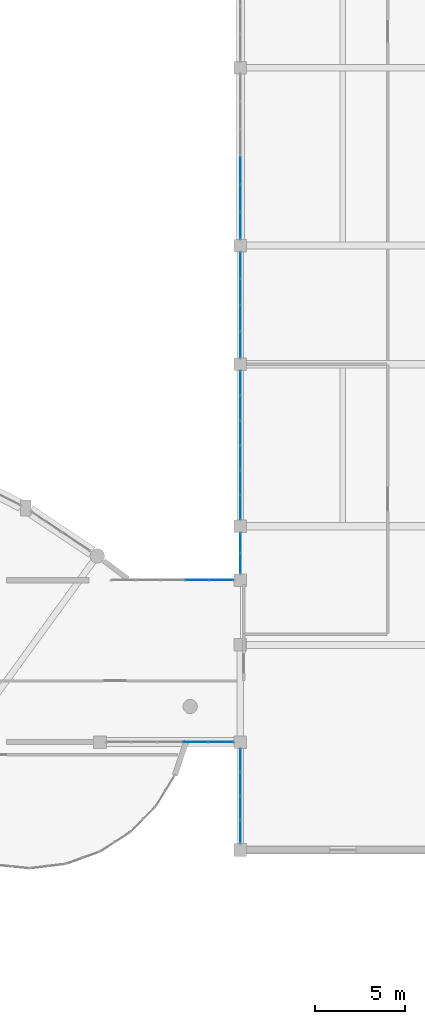
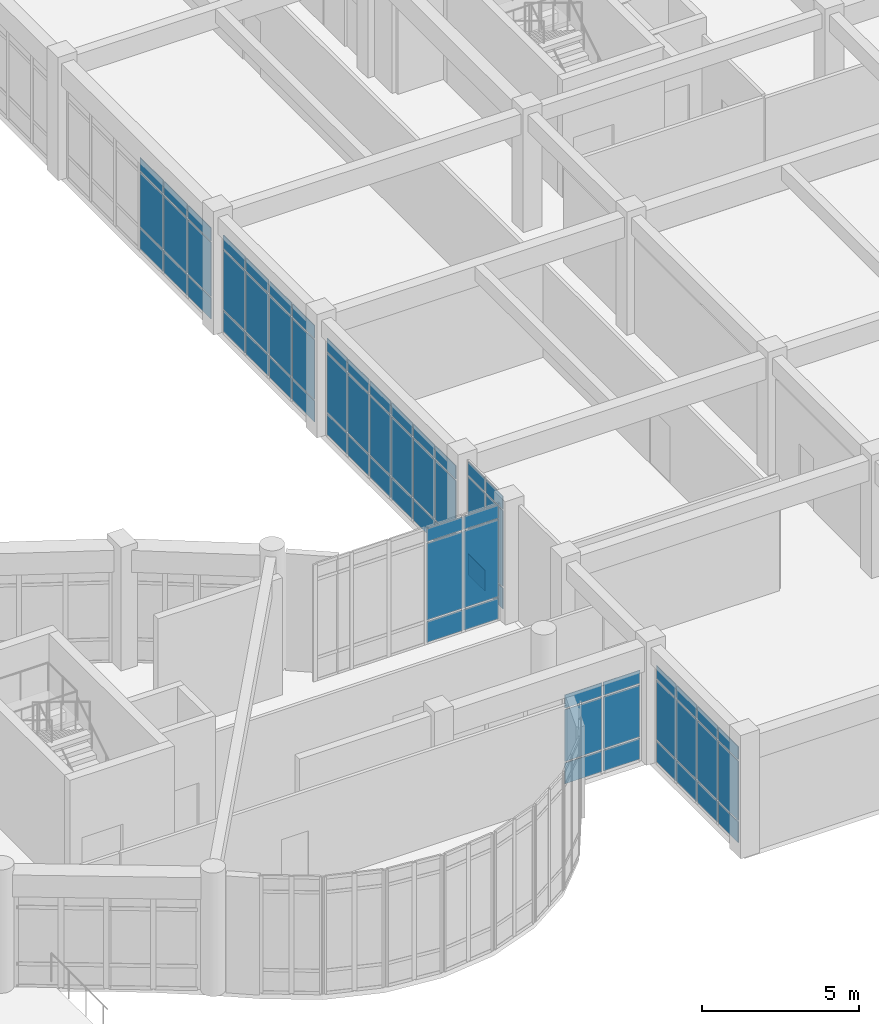
# One storey, part 45 of 65: 69 plates, 7 elements without a shape of their own.
"""IFC4 building model written with IfcOpenShell, lengths in metres."""

from ifc_helpers import new_model, si_unit, direction, frame, origin, origin_2d, place, context, subcontext, project, spatial, rectangle, extrude, material, layer, layer_set, type_object, element, aggregate, save


model = new_model("IFC4")

# Units and contexts
model_context = context("Model", 3, precision=1e-05, world=origin(), true_north=direction((0.0, 1.0)))
body_context = subcontext(model_context, "Body", "Model", "MODEL_VIEW")
ifc_project = project(units=[si_unit("LENGTHUNIT", "METRE"), si_unit("AREAUNIT", "SQUARE_METRE"), si_unit("VOLUMEUNIT", "CUBIC_METRE"), si_unit("PLANEANGLEUNIT", "RADIAN"), si_unit("MASSUNIT", "GRAM", prefix="KILO")], contexts=[model_context])

# Site, building, storey
site_placement = place(None, origin())
site = spatial("IfcSite", under=ifc_project, at=site_placement, CompositionType="ELEMENT")
building_placement = place(site_placement, origin())
building = spatial("IfcBuilding", under=site, at=building_placement, Name="Miralva Faculty of Natural Sciences", CompositionType="ELEMENT")
storey_placement = place(building_placement, frame((0.0, 0.0, 10.199951171875)))
storey = spatial("IfcBuildingStorey", under=building, at=storey_placement, Name="L02", CompositionType="ELEMENT", Elevation=10.199951171875)

# Curtain wall, plates
ifc_material = material(Name="Laminated solar-control glass", Category="glass")
ifc_layer_1 = layer(ifc_material, 0.179931640625, Name="CW-COM-L01")
ifc_layer_set_1 = layer_set([ifc_layer_1], Name="Laminated solar-control glass")
curtain_wall_type = type_object("IfcCurtainWallType", Name="CW-COM-L01", PredefinedType="USERDEFINED", material=ifc_layer_set_1)
curtain_wall_1_placement = place(storey_placement, origin())
curtain_wall_1 = element("IfcCurtainWall", 1, at=curtain_wall_1_placement, inside=storey, type_object=curtain_wall_type, Name="Curtain wall CW-10 L02-268", ObjectType="UNITISED CURTAIN WALL", PredefinedType="USERDEFINED")
ifc_layer_2 = layer(ifc_material, 0.028076171875, Name="PNL-P01")
ifc_layer_set_2 = layer_set([ifc_layer_2], Name="Laminated solar-control glass")
plate_type = type_object("IfcPlateType", Name="PNL-P01", PredefinedType="CURTAIN_PANEL", material=ifc_layer_set_2)
plate_1_placement = place(storey_placement, frame((133.800048828125, 13.016357421875, 0.06005859375), z_axis=(0.0, 0.0, 1.0), x_axis=(0.0, 1.0, 0.0)))
plate_1 = element("IfcPlate", 2, at=plate_1_placement, type_object=plate_type, Name="CW-10 panel 1.1", PredefinedType="CURTAIN_PANEL", context=body_context, shape_type="SweptSolid", body=[
    extrude(rectangle(XDim=1.242431640625, YDim=0.028076171875, at=origin_2d()), origin(), (0.0, 0.0, 1.0), 0.81005859375),
])
plate_2_placement = place(storey_placement, frame((133.800048828125, 13.016357421875, 0.93017578125), z_axis=(0.0, 0.0, 1.0), x_axis=(0.0, 1.0, 0.0)))
plate_2 = element("IfcPlate", 3, at=plate_2_placement, type_object=plate_type, Name="CW-10 panel 1.2", PredefinedType="CURTAIN_PANEL", context=body_context, shape_type="SweptSolid", body=[
    extrude(rectangle(XDim=1.242431640625, YDim=0.028076171875, at=origin_2d()), origin(), (0.0, 0.0, 1.0), 2.304931640625),
])
plate_3_placement = place(storey_placement, frame((133.800048828125, 13.016357421875, 3.294921875), z_axis=(0.0, 0.0, 1.0), x_axis=(0.0, 1.0, 0.0)))
plate_3 = element("IfcPlate", 4, at=plate_3_placement, type_object=plate_type, Name="CW-10 panel 1.3", PredefinedType="CURTAIN_PANEL", context=body_context, shape_type="SweptSolid", body=[
    extrude(rectangle(XDim=1.242431640625, YDim=0.028076171875, at=origin_2d()), origin(), (0.0, 0.0, 1.0), 0.510009765625),
])
plate_4_placement = place(storey_placement, frame((133.800048828125, 14.333740234375, 0.06005859375), z_axis=(0.0, 0.0, 1.0), x_axis=(0.0, 1.0, 0.0)))
plate_4 = element("IfcPlate", 5, at=plate_4_placement, type_object=plate_type, Name="CW-10 panel 2.1", PredefinedType="CURTAIN_PANEL", context=body_context, shape_type="SweptSolid", body=[
    extrude(rectangle(XDim=1.2724609375, YDim=0.028076171875, at=origin_2d()), origin(), (0.0, 0.0, 1.0), 0.81005859375),
])
plate_5_placement = place(storey_placement, frame((133.800048828125, 14.333740234375, 0.93017578125), z_axis=(0.0, 0.0, 1.0), x_axis=(0.0, 1.0, 0.0)))
plate_5 = element("IfcPlate", 6, at=plate_5_placement, type_object=plate_type, Name="CW-10 panel 2.2", PredefinedType="CURTAIN_PANEL", context=body_context, shape_type="SweptSolid", body=[
    extrude(rectangle(XDim=1.2724609375, YDim=0.028076171875, at=origin_2d()), origin(), (0.0, 0.0, 1.0), 2.304931640625),
])
plate_6_placement = place(storey_placement, frame((133.800048828125, 14.333740234375, 3.294921875), z_axis=(0.0, 0.0, 1.0), x_axis=(0.0, 1.0, 0.0)))
plate_6 = element("IfcPlate", 7, at=plate_6_placement, type_object=plate_type, Name="CW-10 panel 2.3", PredefinedType="CURTAIN_PANEL", context=body_context, shape_type="SweptSolid", body=[
    extrude(rectangle(XDim=1.2724609375, YDim=0.028076171875, at=origin_2d()), origin(), (0.0, 0.0, 1.0), 0.510009765625),
])
plate_7_placement = place(storey_placement, frame((133.800048828125, 15.666259765625, 0.06005859375), z_axis=(0.0, 0.0, 1.0), x_axis=(0.0, 1.0, 0.0)))
plate_7 = element("IfcPlate", 8, at=plate_7_placement, type_object=plate_type, Name="CW-10 panel 3.1", PredefinedType="CURTAIN_PANEL", context=body_context, shape_type="SweptSolid", body=[
    extrude(rectangle(XDim=1.2724609375, YDim=0.028076171875, at=origin_2d()), origin(), (0.0, 0.0, 1.0), 0.81005859375),
])
plate_8_placement = place(storey_placement, frame((133.800048828125, 15.666259765625, 0.93017578125), z_axis=(0.0, 0.0, 1.0), x_axis=(0.0, 1.0, 0.0)))
plate_8 = element("IfcPlate", 9, at=plate_8_placement, type_object=plate_type, Name="CW-10 panel 3.2", PredefinedType="CURTAIN_PANEL", context=body_context, shape_type="SweptSolid", body=[
    extrude(rectangle(XDim=1.2724609375, YDim=0.028076171875, at=origin_2d()), origin(), (0.0, 0.0, 1.0), 2.304931640625),
])
plate_9_placement = place(storey_placement, frame((133.800048828125, 15.666259765625, 3.294921875), z_axis=(0.0, 0.0, 1.0), x_axis=(0.0, 1.0, 0.0)))
plate_9 = element("IfcPlate", 10, at=plate_9_placement, type_object=plate_type, Name="CW-10 panel 3.3", PredefinedType="CURTAIN_PANEL", context=body_context, shape_type="SweptSolid", body=[
    extrude(rectangle(XDim=1.2724609375, YDim=0.028076171875, at=origin_2d()), origin(), (0.0, 0.0, 1.0), 0.510009765625),
])
plate_10_placement = place(storey_placement, frame((133.800048828125, 16.983642578125, 0.06005859375), z_axis=(0.0, 0.0, 1.0), x_axis=(0.0, 1.0, 0.0)))
plate_10 = element("IfcPlate", 11, at=plate_10_placement, type_object=plate_type, Name="CW-10 panel 4.1", PredefinedType="CURTAIN_PANEL", context=body_context, shape_type="SweptSolid", body=[
    extrude(rectangle(XDim=1.242431640625, YDim=0.028076171875, at=origin_2d()), origin(), (0.0, 0.0, 1.0), 0.81005859375),
])
plate_11_placement = place(storey_placement, frame((133.800048828125, 16.983642578125, 0.93017578125), z_axis=(0.0, 0.0, 1.0), x_axis=(0.0, 1.0, 0.0)))
plate_11 = element("IfcPlate", 12, at=plate_11_placement, type_object=plate_type, Name="CW-10 panel 4.2", PredefinedType="CURTAIN_PANEL", context=body_context, shape_type="SweptSolid", body=[
    extrude(rectangle(XDim=1.242431640625, YDim=0.028076171875, at=origin_2d()), origin(), (0.0, 0.0, 1.0), 2.304931640625),
])
plate_12_placement = place(storey_placement, frame((133.800048828125, 16.983642578125, 3.294921875), z_axis=(0.0, 0.0, 1.0), x_axis=(0.0, 1.0, 0.0)))
plate_12 = element("IfcPlate", 13, at=plate_12_placement, type_object=plate_type, Name="CW-10 panel 4.3", PredefinedType="CURTAIN_PANEL", context=body_context, shape_type="SweptSolid", body=[
    extrude(rectangle(XDim=1.242431640625, YDim=0.028076171875, at=origin_2d()), origin(), (0.0, 0.0, 1.0), 0.510009765625),
])
aggregate(curtain_wall_1, [plate_1, plate_2, plate_3, plate_4, plate_5, plate_6, plate_7, plate_8, plate_9, plate_10, plate_11, plate_12])

curtain_wall_2_placement = place(storey_placement, origin())
curtain_wall_2 = element("IfcCurtainWall", 14, at=curtain_wall_2_placement, inside=storey, type_object=curtain_wall_type, Name="Curtain wall CW-10 L02-269", ObjectType="UNITISED CURTAIN WALL", PredefinedType="USERDEFINED")
plate_13_placement = place(storey_placement, frame((133.800048828125, 27.9326171875, 0.06005859375), z_axis=(0.0, 0.0, 1.0), x_axis=(0.0, 1.0, 0.0)))
plate_13 = element("IfcPlate", 15, at=plate_13_placement, type_object=plate_type, Name="CW-10 panel 1.1", PredefinedType="CURTAIN_PANEL", context=body_context, shape_type="SweptSolid", body=[
    extrude(rectangle(XDim=1.074951171875, YDim=0.028076171875, at=origin_2d()), origin(), (0.0, 0.0, 1.0), 0.81005859375),
])
plate_14_placement = place(storey_placement, frame((133.800048828125, 27.9326171875, 0.93017578125), z_axis=(0.0, 0.0, 1.0), x_axis=(0.0, 1.0, 0.0)))
plate_14 = element("IfcPlate", 16, at=plate_14_placement, type_object=plate_type, Name="CW-10 panel 1.2", PredefinedType="CURTAIN_PANEL", context=body_context, shape_type="SweptSolid", body=[
    extrude(rectangle(XDim=1.074951171875, YDim=0.028076171875, at=origin_2d()), origin(), (0.0, 0.0, 1.0), 2.93994140625),
])
plate_15_placement = place(storey_placement, frame((133.800048828125, 27.9326171875, 3.93017578125), z_axis=(0.0, 0.0, 1.0), x_axis=(0.0, 1.0, 0.0)))
plate_15 = element("IfcPlate", 17, at=plate_15_placement, type_object=plate_type, Name="CW-10 panel 1.3", PredefinedType="CURTAIN_PANEL", context=body_context, shape_type="SweptSolid", body=[
    extrude(rectangle(XDim=1.074951171875, YDim=0.028076171875, at=origin_2d()), origin(), (0.0, 0.0, 1.0), 0.510009765625),
])
plate_16_placement = place(storey_placement, frame((133.800048828125, 29.0673828125, 0.06005859375), z_axis=(0.0, 0.0, 1.0), x_axis=(0.0, 1.0, 0.0)))
plate_16 = element("IfcPlate", 18, at=plate_16_placement, type_object=plate_type, Name="CW-10 panel 2.1", PredefinedType="CURTAIN_PANEL", context=body_context, shape_type="SweptSolid", body=[
    extrude(rectangle(XDim=1.074951171875, YDim=0.028076171875, at=origin_2d()), origin(), (0.0, 0.0, 1.0), 0.81005859375),
])
plate_17_placement = place(storey_placement, frame((133.800048828125, 29.0673828125, 0.93017578125), z_axis=(0.0, 0.0, 1.0), x_axis=(0.0, 1.0, 0.0)))
plate_17 = element("IfcPlate", 19, at=plate_17_placement, type_object=plate_type, Name="CW-10 panel 2.2", PredefinedType="CURTAIN_PANEL", context=body_context, shape_type="SweptSolid", body=[
    extrude(rectangle(XDim=1.074951171875, YDim=0.028076171875, at=origin_2d()), origin(), (0.0, 0.0, 1.0), 2.93994140625),
])
plate_18_placement = place(storey_placement, frame((133.800048828125, 29.0673828125, 3.93017578125), z_axis=(0.0, 0.0, 1.0), x_axis=(0.0, 1.0, 0.0)))
plate_18 = element("IfcPlate", 20, at=plate_18_placement, type_object=plate_type, Name="CW-10 panel 2.3", PredefinedType="CURTAIN_PANEL", context=body_context, shape_type="SweptSolid", body=[
    extrude(rectangle(XDim=1.074951171875, YDim=0.028076171875, at=origin_2d()), origin(), (0.0, 0.0, 1.0), 0.510009765625),
])
aggregate(curtain_wall_2, [plate_13, plate_14, plate_15, plate_16, plate_17, plate_18])

curtain_wall_3_placement = place(storey_placement, origin())
curtain_wall_3 = element("IfcCurtainWall", 21, at=curtain_wall_3_placement, inside=storey, type_object=curtain_wall_type, Name="Curtain wall CW-10 L02-270", ObjectType="UNITISED CURTAIN WALL", PredefinedType="USERDEFINED")
plate_19_placement = place(storey_placement, frame((133.800048828125, 31.044189453125, 0.06005859375), z_axis=(0.0, 0.0, 1.0), x_axis=(0.0, 1.0, 0.0)))
plate_19 = element("IfcPlate", 22, at=plate_19_placement, type_object=plate_type, Name="CW-10 panel 1.1", PredefinedType="CURTAIN_PANEL", context=body_context, shape_type="SweptSolid", body=[
    extrude(rectangle(XDim=1.29833984375, YDim=0.028076171875, at=origin_2d()), origin(), (0.0, 0.0, 1.0), 0.81005859375),
])
plate_20_placement = place(storey_placement, frame((133.800048828125, 31.044189453125, 0.93017578125), z_axis=(0.0, 0.0, 1.0), x_axis=(0.0, 1.0, 0.0)))
plate_20 = element("IfcPlate", 23, at=plate_20_placement, type_object=plate_type, Name="CW-10 panel 1.2", PredefinedType="CURTAIN_PANEL", context=body_context, shape_type="SweptSolid", body=[
    extrude(rectangle(XDim=1.29833984375, YDim=0.028076171875, at=origin_2d()), origin(), (0.0, 0.0, 1.0), 2.304931640625),
])
plate_21_placement = place(storey_placement, frame((133.800048828125, 31.044189453125, 3.294921875), z_axis=(0.0, 0.0, 1.0), x_axis=(0.0, 1.0, 0.0)))
plate_21 = element("IfcPlate", 24, at=plate_21_placement, type_object=plate_type, Name="CW-10 panel 1.3", PredefinedType="CURTAIN_PANEL", context=body_context, shape_type="SweptSolid", body=[
    extrude(rectangle(XDim=1.29833984375, YDim=0.028076171875, at=origin_2d()), origin(), (0.0, 0.0, 1.0), 0.510009765625),
])
plate_22_placement = place(storey_placement, frame((133.800048828125, 32.41748046875, 0.06005859375), z_axis=(0.0, 0.0, 1.0), x_axis=(0.0, 1.0, 0.0)))
plate_22 = element("IfcPlate", 25, at=plate_22_placement, type_object=plate_type, Name="CW-10 panel 2.1", PredefinedType="CURTAIN_PANEL", context=body_context, shape_type="SweptSolid", body=[
    extrude(rectangle(XDim=1.328369140625, YDim=0.028076171875, at=origin_2d()), origin(), (0.0, 0.0, 1.0), 0.81005859375),
])
plate_23_placement = place(storey_placement, frame((133.800048828125, 32.41748046875, 0.93017578125), z_axis=(0.0, 0.0, 1.0), x_axis=(0.0, 1.0, 0.0)))
plate_23 = element("IfcPlate", 26, at=plate_23_placement, type_object=plate_type, Name="CW-10 panel 2.2", PredefinedType="CURTAIN_PANEL", context=body_context, shape_type="SweptSolid", body=[
    extrude(rectangle(XDim=1.328369140625, YDim=0.028076171875, at=origin_2d()), origin(), (0.0, 0.0, 1.0), 2.304931640625),
])
plate_24_placement = place(storey_placement, frame((133.800048828125, 32.41748046875, 3.294921875), z_axis=(0.0, 0.0, 1.0), x_axis=(0.0, 1.0, 0.0)))
plate_24 = element("IfcPlate", 27, at=plate_24_placement, type_object=plate_type, Name="CW-10 panel 2.3", PredefinedType="CURTAIN_PANEL", context=body_context, shape_type="SweptSolid", body=[
    extrude(rectangle(XDim=1.328369140625, YDim=0.028076171875, at=origin_2d()), origin(), (0.0, 0.0, 1.0), 0.510009765625),
])
plate_25_placement = place(storey_placement, frame((133.800048828125, 33.805908203125, 0.06005859375), z_axis=(0.0, 0.0, 1.0), x_axis=(0.0, 1.0, 0.0)))
plate_25 = element("IfcPlate", 28, at=plate_25_placement, type_object=plate_type, Name="CW-10 panel 3.1", PredefinedType="CURTAIN_PANEL", context=body_context, shape_type="SweptSolid", body=[
    extrude(rectangle(XDim=1.328369140625, YDim=0.028076171875, at=origin_2d()), origin(), (0.0, 0.0, 1.0), 0.81005859375),
])
plate_26_placement = place(storey_placement, frame((133.800048828125, 33.805908203125, 0.93017578125), z_axis=(0.0, 0.0, 1.0), x_axis=(0.0, 1.0, 0.0)))
plate_26 = element("IfcPlate", 29, at=plate_26_placement, type_object=plate_type, Name="CW-10 panel 3.2", PredefinedType="CURTAIN_PANEL", context=body_context, shape_type="SweptSolid", body=[
    extrude(rectangle(XDim=1.328369140625, YDim=0.028076171875, at=origin_2d()), origin(), (0.0, 0.0, 1.0), 2.304931640625),
])
plate_27_placement = place(storey_placement, frame((133.800048828125, 33.805908203125, 3.294921875), z_axis=(0.0, 0.0, 1.0), x_axis=(0.0, 1.0, 0.0)))
plate_27 = element("IfcPlate", 30, at=plate_27_placement, type_object=plate_type, Name="CW-10 panel 3.3", PredefinedType="CURTAIN_PANEL", context=body_context, shape_type="SweptSolid", body=[
    extrude(rectangle(XDim=1.328369140625, YDim=0.028076171875, at=origin_2d()), origin(), (0.0, 0.0, 1.0), 0.510009765625),
])
plate_28_placement = place(storey_placement, frame((133.800048828125, 35.194091796875, 0.06005859375), z_axis=(0.0, 0.0, 1.0), x_axis=(0.0, 1.0, 0.0)))
plate_28 = element("IfcPlate", 31, at=plate_28_placement, type_object=plate_type, Name="CW-10 panel 4.1", PredefinedType="CURTAIN_PANEL", context=body_context, shape_type="SweptSolid", body=[
    extrude(rectangle(XDim=1.328369140625, YDim=0.028076171875, at=origin_2d()), origin(), (0.0, 0.0, 1.0), 0.81005859375),
])
plate_29_placement = place(storey_placement, frame((133.800048828125, 35.194091796875, 0.93017578125), z_axis=(0.0, 0.0, 1.0), x_axis=(0.0, 1.0, 0.0)))
plate_29 = element("IfcPlate", 32, at=plate_29_placement, type_object=plate_type, Name="CW-10 panel 4.2", PredefinedType="CURTAIN_PANEL", context=body_context, shape_type="SweptSolid", body=[
    extrude(rectangle(XDim=1.328369140625, YDim=0.028076171875, at=origin_2d()), origin(), (0.0, 0.0, 1.0), 2.304931640625),
])
plate_30_placement = place(storey_placement, frame((133.800048828125, 35.194091796875, 3.294921875), z_axis=(0.0, 0.0, 1.0), x_axis=(0.0, 1.0, 0.0)))
plate_30 = element("IfcPlate", 33, at=plate_30_placement, type_object=plate_type, Name="CW-10 panel 4.3", PredefinedType="CURTAIN_PANEL", context=body_context, shape_type="SweptSolid", body=[
    extrude(rectangle(XDim=1.328369140625, YDim=0.028076171875, at=origin_2d()), origin(), (0.0, 0.0, 1.0), 0.510009765625),
])
plate_31_placement = place(storey_placement, frame((133.800048828125, 36.58251953125, 0.06005859375), z_axis=(0.0, 0.0, 1.0), x_axis=(0.0, 1.0, 0.0)))
plate_31 = element("IfcPlate", 34, at=plate_31_placement, type_object=plate_type, Name="CW-10 panel 5.1", PredefinedType="CURTAIN_PANEL", context=body_context, shape_type="SweptSolid", body=[
    extrude(rectangle(XDim=1.328369140625, YDim=0.028076171875, at=origin_2d()), origin(), (0.0, 0.0, 1.0), 0.81005859375),
])
plate_32_placement = place(storey_placement, frame((133.800048828125, 36.58251953125, 0.93017578125), z_axis=(0.0, 0.0, 1.0), x_axis=(0.0, 1.0, 0.0)))
plate_32 = element("IfcPlate", 35, at=plate_32_placement, type_object=plate_type, Name="CW-10 panel 5.2", PredefinedType="CURTAIN_PANEL", context=body_context, shape_type="SweptSolid", body=[
    extrude(rectangle(XDim=1.328369140625, YDim=0.028076171875, at=origin_2d()), origin(), (0.0, 0.0, 1.0), 2.304931640625),
])
plate_33_placement = place(storey_placement, frame((133.800048828125, 36.58251953125, 3.294921875), z_axis=(0.0, 0.0, 1.0), x_axis=(0.0, 1.0, 0.0)))
plate_33 = element("IfcPlate", 36, at=plate_33_placement, type_object=plate_type, Name="CW-10 panel 5.3", PredefinedType="CURTAIN_PANEL", context=body_context, shape_type="SweptSolid", body=[
    extrude(rectangle(XDim=1.328369140625, YDim=0.028076171875, at=origin_2d()), origin(), (0.0, 0.0, 1.0), 0.510009765625),
])
plate_34_placement = place(storey_placement, frame((133.800048828125, 37.955810546875, 0.06005859375), z_axis=(0.0, 0.0, 1.0), x_axis=(0.0, 1.0, 0.0)))
plate_34 = element("IfcPlate", 37, at=plate_34_placement, type_object=plate_type, Name="CW-10 panel 6.1", PredefinedType="CURTAIN_PANEL", context=body_context, shape_type="SweptSolid", body=[
    extrude(rectangle(XDim=1.29833984375, YDim=0.028076171875, at=origin_2d()), origin(), (0.0, 0.0, 1.0), 0.81005859375),
])
plate_35_placement = place(storey_placement, frame((133.800048828125, 37.955810546875, 0.93017578125), z_axis=(0.0, 0.0, 1.0), x_axis=(0.0, 1.0, 0.0)))
plate_35 = element("IfcPlate", 38, at=plate_35_placement, type_object=plate_type, Name="CW-10 panel 6.2", PredefinedType="CURTAIN_PANEL", context=body_context, shape_type="SweptSolid", body=[
    extrude(rectangle(XDim=1.29833984375, YDim=0.028076171875, at=origin_2d()), origin(), (0.0, 0.0, 1.0), 2.304931640625),
])
plate_36_placement = place(storey_placement, frame((133.800048828125, 37.955810546875, 3.294921875), z_axis=(0.0, 0.0, 1.0), x_axis=(0.0, 1.0, 0.0)))
plate_36 = element("IfcPlate", 39, at=plate_36_placement, type_object=plate_type, Name="CW-10 panel 6.3", PredefinedType="CURTAIN_PANEL", context=body_context, shape_type="SweptSolid", body=[
    extrude(rectangle(XDim=1.29833984375, YDim=0.028076171875, at=origin_2d()), origin(), (0.0, 0.0, 1.0), 0.510009765625),
])
aggregate(curtain_wall_3, [plate_19, plate_20, plate_21, plate_22, plate_23, plate_24, plate_25, plate_26, plate_27, plate_28, plate_29, plate_30, plate_31, plate_32, plate_33, plate_34, plate_35, plate_36])

curtain_wall_4_placement = place(storey_placement, origin())
curtain_wall_4 = element("IfcCurtainWall", 40, at=curtain_wall_4_placement, inside=storey, type_object=curtain_wall_type, Name="Curtain wall CW-10 L02-271", ObjectType="UNITISED CURTAIN WALL", PredefinedType="USERDEFINED")
plate_37_placement = place(storey_placement, frame((133.800048828125, 40.09130859375, 0.06005859375), z_axis=(0.0, 0.0, 1.0), x_axis=(0.0, 1.0, 0.0)))
plate_37 = element("IfcPlate", 41, at=plate_37_placement, type_object=plate_type, Name="CW-10 panel 1.1", PredefinedType="CURTAIN_PANEL", context=body_context, shape_type="SweptSolid", body=[
    extrude(rectangle(XDim=1.392578125, YDim=0.028076171875, at=origin_2d()), origin(), (0.0, 0.0, 1.0), 0.81005859375),
])
plate_38_placement = place(storey_placement, frame((133.800048828125, 40.09130859375, 0.93017578125), z_axis=(0.0, 0.0, 1.0), x_axis=(0.0, 1.0, 0.0)))
plate_38 = element("IfcPlate", 42, at=plate_38_placement, type_object=plate_type, Name="CW-10 panel 1.2", PredefinedType="CURTAIN_PANEL", context=body_context, shape_type="SweptSolid", body=[
    extrude(rectangle(XDim=1.392578125, YDim=0.028076171875, at=origin_2d()), origin(), (0.0, 0.0, 1.0), 2.304931640625),
])
plate_39_placement = place(storey_placement, frame((133.800048828125, 40.09130859375, 3.294921875), z_axis=(0.0, 0.0, 1.0), x_axis=(0.0, 1.0, 0.0)))
plate_39 = element("IfcPlate", 43, at=plate_39_placement, type_object=plate_type, Name="CW-10 panel 1.3", PredefinedType="CURTAIN_PANEL", context=body_context, shape_type="SweptSolid", body=[
    extrude(rectangle(XDim=1.392578125, YDim=0.028076171875, at=origin_2d()), origin(), (0.0, 0.0, 1.0), 0.510009765625),
])
plate_40_placement = place(storey_placement, frame((133.800048828125, 41.558837890625, 0.06005859375), z_axis=(0.0, 0.0, 1.0), x_axis=(0.0, 1.0, 0.0)))
plate_40 = element("IfcPlate", 44, at=plate_40_placement, type_object=plate_type, Name="CW-10 panel 2.1", PredefinedType="CURTAIN_PANEL", context=body_context, shape_type="SweptSolid", body=[
    extrude(rectangle(XDim=1.422607421875, YDim=0.028076171875, at=origin_2d()), origin(), (0.0, 0.0, 1.0), 0.81005859375),
])
plate_41_placement = place(storey_placement, frame((133.800048828125, 41.558837890625, 0.93017578125), z_axis=(0.0, 0.0, 1.0), x_axis=(0.0, 1.0, 0.0)))
plate_41 = element("IfcPlate", 45, at=plate_41_placement, type_object=plate_type, Name="CW-10 panel 2.2", PredefinedType="CURTAIN_PANEL", context=body_context, shape_type="SweptSolid", body=[
    extrude(rectangle(XDim=1.422607421875, YDim=0.028076171875, at=origin_2d()), origin(), (0.0, 0.0, 1.0), 2.304931640625),
])
plate_42_placement = place(storey_placement, frame((133.800048828125, 41.558837890625, 3.294921875), z_axis=(0.0, 0.0, 1.0), x_axis=(0.0, 1.0, 0.0)))
plate_42 = element("IfcPlate", 46, at=plate_42_placement, type_object=plate_type, Name="CW-10 panel 2.3", PredefinedType="CURTAIN_PANEL", context=body_context, shape_type="SweptSolid", body=[
    extrude(rectangle(XDim=1.422607421875, YDim=0.028076171875, at=origin_2d()), origin(), (0.0, 0.0, 1.0), 0.510009765625),
])
plate_43_placement = place(storey_placement, frame((133.800048828125, 43.041259765625, 0.06005859375), z_axis=(0.0, 0.0, 1.0), x_axis=(0.0, 1.0, 0.0)))
plate_43 = element("IfcPlate", 47, at=plate_43_placement, type_object=plate_type, Name="CW-10 panel 3.1", PredefinedType="CURTAIN_PANEL", context=body_context, shape_type="SweptSolid", body=[
    extrude(rectangle(XDim=1.422607421875, YDim=0.028076171875, at=origin_2d()), origin(), (0.0, 0.0, 1.0), 0.81005859375),
])
plate_44_placement = place(storey_placement, frame((133.800048828125, 43.041259765625, 0.93017578125), z_axis=(0.0, 0.0, 1.0), x_axis=(0.0, 1.0, 0.0)))
plate_44 = element("IfcPlate", 48, at=plate_44_placement, type_object=plate_type, Name="CW-10 panel 3.2", PredefinedType="CURTAIN_PANEL", context=body_context, shape_type="SweptSolid", body=[
    extrude(rectangle(XDim=1.422607421875, YDim=0.028076171875, at=origin_2d()), origin(), (0.0, 0.0, 1.0), 2.304931640625),
])
plate_45_placement = place(storey_placement, frame((133.800048828125, 43.041259765625, 3.294921875), z_axis=(0.0, 0.0, 1.0), x_axis=(0.0, 1.0, 0.0)))
plate_45 = element("IfcPlate", 49, at=plate_45_placement, type_object=plate_type, Name="CW-10 panel 3.3", PredefinedType="CURTAIN_PANEL", context=body_context, shape_type="SweptSolid", body=[
    extrude(rectangle(XDim=1.422607421875, YDim=0.028076171875, at=origin_2d()), origin(), (0.0, 0.0, 1.0), 0.510009765625),
])
plate_46_placement = place(storey_placement, frame((133.800048828125, 44.5087890625, 0.06005859375), z_axis=(0.0, 0.0, 1.0), x_axis=(0.0, 1.0, 0.0)))
plate_46 = element("IfcPlate", 50, at=plate_46_placement, type_object=plate_type, Name="CW-10 panel 4.1", PredefinedType="CURTAIN_PANEL", context=body_context, shape_type="SweptSolid", body=[
    extrude(rectangle(XDim=1.392578125, YDim=0.028076171875, at=origin_2d()), origin(), (0.0, 0.0, 1.0), 0.81005859375),
])
plate_47_placement = place(storey_placement, frame((133.800048828125, 44.5087890625, 0.93017578125), z_axis=(0.0, 0.0, 1.0), x_axis=(0.0, 1.0, 0.0)))
plate_47 = element("IfcPlate", 51, at=plate_47_placement, type_object=plate_type, Name="CW-10 panel 4.2", PredefinedType="CURTAIN_PANEL", context=body_context, shape_type="SweptSolid", body=[
    extrude(rectangle(XDim=1.392578125, YDim=0.028076171875, at=origin_2d()), origin(), (0.0, 0.0, 1.0), 2.304931640625),
])
plate_48_placement = place(storey_placement, frame((133.800048828125, 44.5087890625, 3.294921875), z_axis=(0.0, 0.0, 1.0), x_axis=(0.0, 1.0, 0.0)))
plate_48 = element("IfcPlate", 52, at=plate_48_placement, type_object=plate_type, Name="CW-10 panel 4.3", PredefinedType="CURTAIN_PANEL", context=body_context, shape_type="SweptSolid", body=[
    extrude(rectangle(XDim=1.392578125, YDim=0.028076171875, at=origin_2d()), origin(), (0.0, 0.0, 1.0), 0.510009765625),
])
aggregate(curtain_wall_4, [plate_37, plate_38, plate_39, plate_40, plate_41, plate_42, plate_43, plate_44, plate_45, plate_46, plate_47, plate_48])

curtain_wall_5_placement = place(storey_placement, origin())
curtain_wall_5 = element("IfcCurtainWall", 53, at=curtain_wall_5_placement, inside=storey, type_object=curtain_wall_type, Name="Curtain wall CW-10 L02-272", ObjectType="UNITISED CURTAIN WALL", PredefinedType="USERDEFINED")
plate_49_placement = place(storey_placement, frame((133.800048828125, 46.71923828125, 0.06005859375), z_axis=(0.0, 0.0, 1.0), x_axis=(0.0, 1.0, 0.0)))
plate_49 = element("IfcPlate", 54, at=plate_49_placement, type_object=plate_type, Name="CW-10 panel 1.1", PredefinedType="CURTAIN_PANEL", context=body_context, shape_type="SweptSolid", body=[
    extrude(rectangle(XDim=1.4482421875, YDim=0.028076171875, at=origin_2d()), origin(), (0.0, 0.0, 1.0), 0.81005859375),
])
plate_50_placement = place(storey_placement, frame((133.800048828125, 46.71923828125, 0.93017578125), z_axis=(0.0, 0.0, 1.0), x_axis=(0.0, 1.0, 0.0)))
plate_50 = element("IfcPlate", 55, at=plate_50_placement, type_object=plate_type, Name="CW-10 panel 1.2", PredefinedType="CURTAIN_PANEL", context=body_context, shape_type="SweptSolid", body=[
    extrude(rectangle(XDim=1.4482421875, YDim=0.028076171875, at=origin_2d()), origin(), (0.0, 0.0, 1.0), 2.10498046875),
])
plate_51_placement = place(storey_placement, frame((133.800048828125, 46.71923828125, 3.09521484375), z_axis=(0.0, 0.0, 1.0), x_axis=(0.0, 1.0, 0.0)))
plate_51 = element("IfcPlate", 56, at=plate_51_placement, type_object=plate_type, Name="CW-10 panel 1.3", PredefinedType="CURTAIN_PANEL", context=body_context, shape_type="SweptSolid", body=[
    extrude(rectangle(XDim=1.4482421875, YDim=0.028076171875, at=origin_2d()), origin(), (0.0, 0.0, 1.0), 0.510009765625),
])
plate_52_placement = place(storey_placement, frame((133.800048828125, 48.242431640625, 0.06005859375), z_axis=(0.0, 0.0, 1.0), x_axis=(0.0, 1.0, 0.0)))
plate_52 = element("IfcPlate", 57, at=plate_52_placement, type_object=plate_type, Name="CW-10 panel 2.1", PredefinedType="CURTAIN_PANEL", context=body_context, shape_type="SweptSolid", body=[
    extrude(rectangle(XDim=1.478271484375, YDim=0.028076171875, at=origin_2d()), origin(), (0.0, 0.0, 1.0), 0.81005859375),
])
plate_53_placement = place(storey_placement, frame((133.800048828125, 48.242431640625, 0.93017578125), z_axis=(0.0, 0.0, 1.0), x_axis=(0.0, 1.0, 0.0)))
plate_53 = element("IfcPlate", 58, at=plate_53_placement, type_object=plate_type, Name="CW-10 panel 2.2", PredefinedType="CURTAIN_PANEL", context=body_context, shape_type="SweptSolid", body=[
    extrude(rectangle(XDim=1.478271484375, YDim=0.028076171875, at=origin_2d()), origin(), (0.0, 0.0, 1.0), 2.10498046875),
])
plate_54_placement = place(storey_placement, frame((133.800048828125, 48.242431640625, 3.09521484375), z_axis=(0.0, 0.0, 1.0), x_axis=(0.0, 1.0, 0.0)))
plate_54 = element("IfcPlate", 59, at=plate_54_placement, type_object=plate_type, Name="CW-10 panel 2.3", PredefinedType="CURTAIN_PANEL", context=body_context, shape_type="SweptSolid", body=[
    extrude(rectangle(XDim=1.478271484375, YDim=0.028076171875, at=origin_2d()), origin(), (0.0, 0.0, 1.0), 0.510009765625),
])
plate_55_placement = place(storey_placement, frame((133.800048828125, 49.78076171875, 0.06005859375), z_axis=(0.0, 0.0, 1.0), x_axis=(0.0, 1.0, 0.0)))
plate_55 = element("IfcPlate", 60, at=plate_55_placement, type_object=plate_type, Name="CW-10 panel 3.1", PredefinedType="CURTAIN_PANEL", context=body_context, shape_type="SweptSolid", body=[
    extrude(rectangle(XDim=1.478271484375, YDim=0.028076171875, at=origin_2d()), origin(), (0.0, 0.0, 1.0), 0.81005859375),
])
plate_56_placement = place(storey_placement, frame((133.800048828125, 49.78076171875, 0.93017578125), z_axis=(0.0, 0.0, 1.0), x_axis=(0.0, 1.0, 0.0)))
plate_56 = element("IfcPlate", 61, at=plate_56_placement, type_object=plate_type, Name="CW-10 panel 3.2", PredefinedType="CURTAIN_PANEL", context=body_context, shape_type="SweptSolid", body=[
    extrude(rectangle(XDim=1.478271484375, YDim=0.028076171875, at=origin_2d()), origin(), (0.0, 0.0, 1.0), 2.10498046875),
])
plate_57_placement = place(storey_placement, frame((133.800048828125, 49.78076171875, 3.09521484375), z_axis=(0.0, 0.0, 1.0), x_axis=(0.0, 1.0, 0.0)))
plate_57 = element("IfcPlate", 62, at=plate_57_placement, type_object=plate_type, Name="CW-10 panel 3.3", PredefinedType="CURTAIN_PANEL", context=body_context, shape_type="SweptSolid", body=[
    extrude(rectangle(XDim=1.478271484375, YDim=0.028076171875, at=origin_2d()), origin(), (0.0, 0.0, 1.0), 0.510009765625),
])
aggregate(curtain_wall_5, [plate_49, plate_50, plate_51, plate_52, plate_53, plate_54, plate_55, plate_56, plate_57])

curtain_wall_6_placement = place(storey_placement, origin())
curtain_wall_6 = element("IfcCurtainWall", 63, at=curtain_wall_6_placement, inside=storey, type_object=curtain_wall_type, Name="Curtain wall CW-10 L02-296", ObjectType="UNITISED CURTAIN WALL", PredefinedType="USERDEFINED")
plate_58_placement = place(storey_placement, frame((131.325927734375, 18.0, 0.06005859375), z_axis=(0.0, 0.0, 1.0), x_axis=(1.0, 0.0, 0.0)))
plate_58 = element("IfcPlate", 64, at=plate_58_placement, type_object=plate_type, Name="CW-10 panel 4.1", PredefinedType="CURTAIN_PANEL", context=body_context, shape_type="SweptSolid", body=[
    extrude(rectangle(XDim=1.365966796875, YDim=0.028076171875, at=origin_2d()), origin(), (0.0, 0.0, 1.0), 0.81005859375),
])
plate_59_placement = place(storey_placement, frame((131.325927734375, 18.0, 0.93017578125), z_axis=(0.0, 0.0, 1.0), x_axis=(1.0, 0.0, 0.0)))
plate_59 = element("IfcPlate", 65, at=plate_59_placement, type_object=plate_type, Name="CW-10 panel 4.2", PredefinedType="CURTAIN_PANEL", context=body_context, shape_type="SweptSolid", body=[
    extrude(rectangle(XDim=1.365966796875, YDim=0.028076171875, at=origin_2d()), origin(), (0.0, 0.0, 1.0), 2.014892578125),
])
plate_60_placement = place(storey_placement, frame((131.325927734375, 18.0, 3.0048828125), z_axis=(0.0, 0.0, 1.0), x_axis=(1.0, 0.0, 0.0)))
plate_60 = element("IfcPlate", 66, at=plate_60_placement, type_object=plate_type, Name="CW-10 panel 4.3", PredefinedType="CURTAIN_PANEL", context=body_context, shape_type="SweptSolid", body=[
    extrude(rectangle(XDim=1.365966796875, YDim=0.028076171875, at=origin_2d()), origin(), (0.0, 0.0, 1.0), 0.510009765625),
])
plate_61_placement = place(storey_placement, frame((132.737060546875, 18.0, 0.06005859375), z_axis=(0.0, 0.0, 1.0), x_axis=(1.0, 0.0, 0.0)))
plate_61 = element("IfcPlate", 67, at=plate_61_placement, type_object=plate_type, Name="CW-10 panel 5.1", PredefinedType="CURTAIN_PANEL", context=body_context, shape_type="SweptSolid", body=[
    extrude(rectangle(XDim=1.3359375, YDim=0.028076171875, at=origin_2d()), origin(), (0.0, 0.0, 1.0), 0.81005859375),
])
plate_62_placement = place(storey_placement, frame((132.737060546875, 18.0, 0.93017578125), z_axis=(0.0, 0.0, 1.0), x_axis=(1.0, 0.0, 0.0)))
plate_62 = element("IfcPlate", 68, at=plate_62_placement, type_object=plate_type, Name="CW-10 panel 5.2", PredefinedType="CURTAIN_PANEL", context=body_context, shape_type="SweptSolid", body=[
    extrude(rectangle(XDim=1.3359375, YDim=0.028076171875, at=origin_2d()), origin(), (0.0, 0.0, 1.0), 2.014892578125),
])
plate_63_placement = place(storey_placement, frame((132.737060546875, 18.0, 3.0048828125), z_axis=(0.0, 0.0, 1.0), x_axis=(1.0, 0.0, 0.0)))
plate_63 = element("IfcPlate", 69, at=plate_63_placement, type_object=plate_type, Name="CW-10 panel 5.3", PredefinedType="CURTAIN_PANEL", context=body_context, shape_type="SweptSolid", body=[
    extrude(rectangle(XDim=1.3359375, YDim=0.028076171875, at=origin_2d()), origin(), (0.0, 0.0, 1.0), 0.510009765625),
])
aggregate(curtain_wall_6, [plate_58, plate_59, plate_60, plate_61, plate_62, plate_63])

curtain_wall_7_placement = place(storey_placement, origin())
curtain_wall_7 = element("IfcCurtainWall", 70, at=curtain_wall_7_placement, inside=storey, type_object=curtain_wall_type, Name="Curtain wall CW-10 L02-299", ObjectType="UNITISED CURTAIN WALL", PredefinedType="USERDEFINED")
plate_64_placement = place(storey_placement, frame((131.41162109375, 27.0, 0.06005859375), z_axis=(0.0, 0.0, 1.0), x_axis=(1.0, 0.0, 0.0)))
plate_64 = element("IfcPlate", 71, at=plate_64_placement, type_object=plate_type, Name="CW-10 panel 4.1", PredefinedType="CURTAIN_PANEL", context=body_context, shape_type="SweptSolid", body=[
    extrude(rectangle(XDim=1.30908203125, YDim=0.028076171875, at=origin_2d()), origin(), (0.0, 0.0, 1.0), 0.81005859375),
])
plate_65_placement = place(storey_placement, frame((131.41162109375, 27.0, 0.93017578125), z_axis=(0.0, 0.0, 1.0), x_axis=(1.0, 0.0, 0.0)))
plate_65 = element("IfcPlate", 72, at=plate_65_placement, type_object=plate_type, Name="CW-10 panel 4.2", PredefinedType="CURTAIN_PANEL", context=body_context, shape_type="SweptSolid", body=[
    extrude(rectangle(XDim=1.30908203125, YDim=0.028076171875, at=origin_2d()), origin(), (0.0, 0.0, 1.0), 2.989990234375),
])
plate_66_placement = place(storey_placement, frame((131.41162109375, 27.0, 3.97998046875), z_axis=(0.0, 0.0, 1.0), x_axis=(1.0, 0.0, 0.0)))
plate_66 = element("IfcPlate", 73, at=plate_66_placement, type_object=plate_type, Name="CW-10 panel 4.3", PredefinedType="CURTAIN_PANEL", context=body_context, shape_type="SweptSolid", body=[
    extrude(rectangle(XDim=1.30908203125, YDim=0.028076171875, at=origin_2d()), origin(), (0.0, 0.0, 1.0), 0.510009765625),
])
plate_67_placement = place(storey_placement, frame((132.765380859375, 27.0, 0.06005859375), z_axis=(0.0, 0.0, 1.0), x_axis=(1.0, 0.0, 0.0)))
plate_67 = element("IfcPlate", 74, at=plate_67_placement, type_object=plate_type, Name="CW-10 panel 5.1", PredefinedType="CURTAIN_PANEL", context=body_context, shape_type="SweptSolid", body=[
    extrude(rectangle(XDim=1.279052734375, YDim=0.028076171875, at=origin_2d()), origin(), (0.0, 0.0, 1.0), 0.81005859375),
])
plate_68_placement = place(storey_placement, frame((132.765380859375, 27.0, 0.93017578125), z_axis=(0.0, 0.0, 1.0), x_axis=(1.0, 0.0, 0.0)))
plate_68 = element("IfcPlate", 75, at=plate_68_placement, type_object=plate_type, Name="CW-10 panel 5.2", PredefinedType="CURTAIN_PANEL", context=body_context, shape_type="SweptSolid", body=[
    extrude(rectangle(XDim=1.279052734375, YDim=0.028076171875, at=origin_2d()), origin(), (0.0, 0.0, 1.0), 2.989990234375),
])
plate_69_placement = place(storey_placement, frame((132.765380859375, 27.0, 3.97998046875), z_axis=(0.0, 0.0, 1.0), x_axis=(1.0, 0.0, 0.0)))
plate_69 = element("IfcPlate", 76, at=plate_69_placement, type_object=plate_type, Name="CW-10 panel 5.3", PredefinedType="CURTAIN_PANEL", context=body_context, shape_type="SweptSolid", body=[
    extrude(rectangle(XDim=1.279052734375, YDim=0.028076171875, at=origin_2d()), origin(), (0.0, 0.0, 1.0), 0.510009765625),
])
aggregate(curtain_wall_7, [plate_64, plate_65, plate_66, plate_67, plate_68, plate_69])

save(model, "model.ifc")
